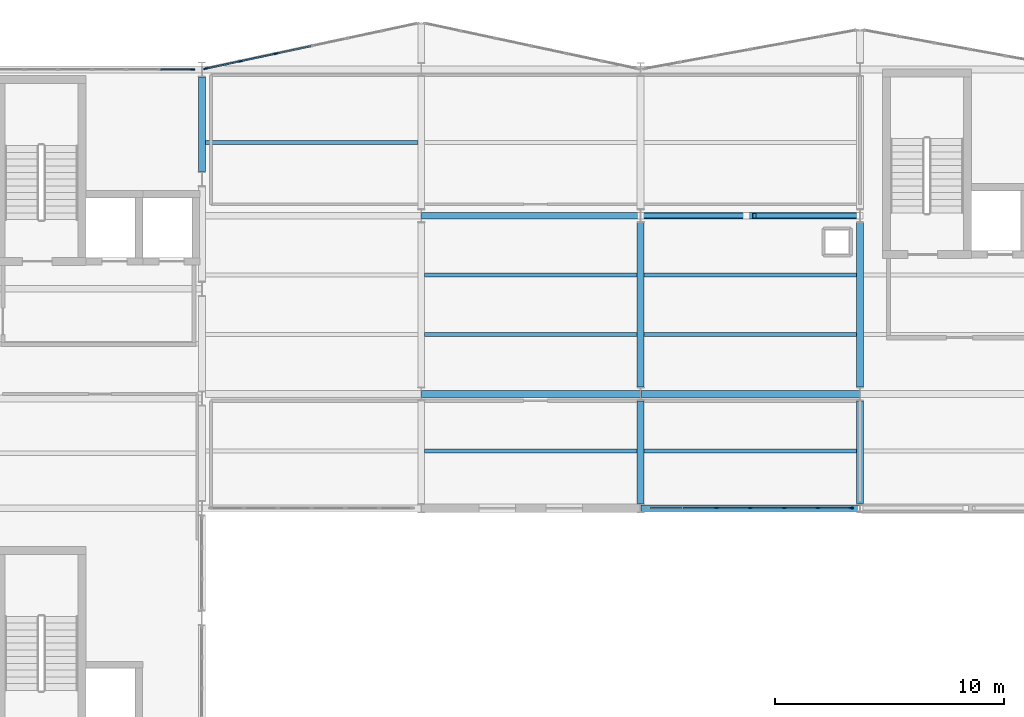
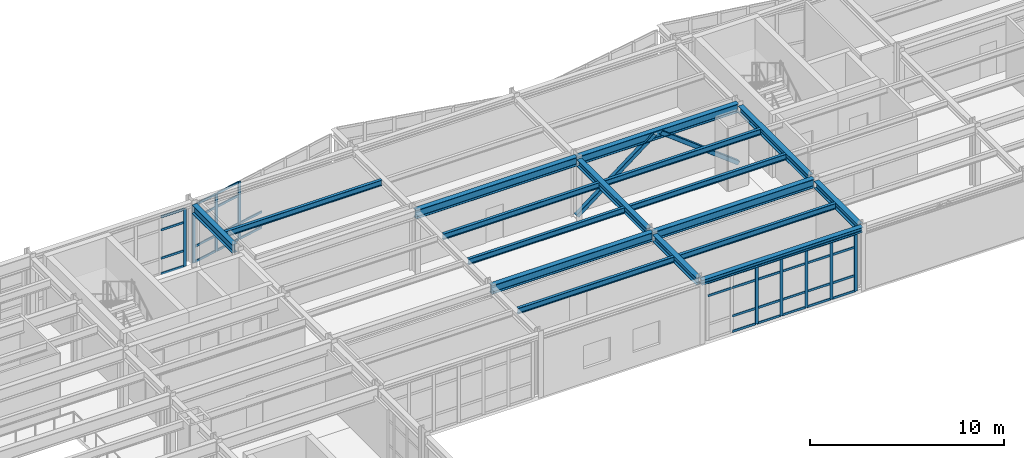
# One storey, part 47 of 99: 47 members, 17 beams, 3 elements without a shape of their own.
"""IFC4 building model written with IfcOpenShell, lengths in metres."""

from ifc_helpers import new_model, si_unit, direction, frame, origin, origin_2d, place, context, subcontext, project, spatial, rectangle, hollow_rectangle, i_section, extrude, material, layer, layer_set, material_profile, profile_set, type_object, element, aggregate, save


model = new_model("IFC4")

# Units and contexts
model_context = context("Model", 3, precision=1e-05, world=origin(), true_north=direction((0.0, 1.0)))
body_context = subcontext(model_context, "Body", "Model", "MODEL_VIEW")
ifc_project = project(units=[si_unit("LENGTHUNIT", "METRE"), si_unit("AREAUNIT", "SQUARE_METRE"), si_unit("VOLUMEUNIT", "CUBIC_METRE"), si_unit("PLANEANGLEUNIT", "RADIAN"), si_unit("MASSUNIT", "GRAM", prefix="KILO")], contexts=[model_context])

# Site, building, storey
site_placement = place(None, origin())
site = spatial("IfcSite", under=ifc_project, at=site_placement, CompositionType="ELEMENT")
building_placement = place(site_placement, origin())
building = spatial("IfcBuilding", under=site, at=building_placement, Name="Nordkorset Police Headquarters", CompositionType="ELEMENT")
storey_placement = place(building_placement, frame((0.0, 0.0, 5.25)))
storey = spatial("IfcBuildingStorey", under=building, at=storey_placement, Name="L01", CompositionType="ELEMENT", Elevation=5.25)

# Beams
ifc_material_1 = material(Name="Steel S355J2", Category="steel")
ifc_material_profile_1 = material_profile(ifc_material_1, i_section(OverallWidth=0.169921875, OverallDepth=0.360107421875, WebThickness=0.008056640625, FlangeThickness=0.0126953125, FilletRadius=0.01806640625, at=origin_2d()), Name="IPE 360")
ifc_profile_set_1 = profile_set([ifc_material_profile_1], Name="Steel S355J2")
beam_type_1 = type_object("IfcBeamType", Name="Beam_IPE_360", PredefinedType="BEAM", material=ifc_profile_set_1)
for number, where, z_axis, x_axis, name in (
    (1, (28.949951171875, 113.60009765625, 3.780029296875), (1.0, 0.0, 0.0), (0.0, 1.0, 0.0), "Composite Floor Beam V2 L01 0-2-1"),
    (2, (38.550048828125, 100.10009765625, 3.780029296875), (1.0, 0.0, 0.0), (0.0, 1.0, 0.0), "Composite Floor Beam V2 L01 1-0-1"),
    (3, (38.550048828125, 105.199951171875, 3.780029296875), (1.0, 0.0, 0.0), (0.0, 1.0, 0.0), "Composite Floor Beam V2 L01 1-1-1"),
    (4, (38.550048828125, 107.800048828125, 3.780029296875), (1.0, 0.0, 0.0), (0.0, 1.0, 0.0), "Composite Floor Beam V2 L01 1-1-2"),
    (5, (48.14990234375, 100.10009765625, 3.780029296875), (1.0, 0.0, 0.0), (0.0, 1.0, 0.0), "Composite Floor Beam V2 L01 2-0-1"),
    (6, (48.14990234375, 105.199951171875, 3.780029296875), (1.0, 0.0, 0.0), (0.0, 1.0, 0.0), "Composite Floor Beam V2 L01 2-1-1"),
    (7, (48.14990234375, 107.800048828125, 3.780029296875), (1.0, 0.0, 0.0), (0.0, 1.0, 0.0), "Composite Floor Beam V2 L01 2-1-2"),
):
    element("IfcBeam", number, at=place(storey_placement, frame(where, z_axis=z_axis, x_axis=x_axis)), inside=storey, type_object=beam_type_1, Name=name, PredefinedType="BEAM", context=body_context, shape_type="SweptSolid", body=[
        extrude(i_section(OverallWidth=0.169921875, OverallDepth=0.360107421875, WebThickness=0.008056640625, FlangeThickness=0.0126953125, FilletRadius=0.01806640625, at=origin_2d()), origin(), (0.0, 0.0, 1.0), 9.300048828125),
    ])

# Members
ifc_material_2 = material(Name="Steel S355J2", Category="steel")
ifc_material_profile_2 = material_profile(ifc_material_2, hollow_rectangle(XDim=0.25, YDim=0.25, WallThickness=0.012451171875, InnerFilletRadius=0.012451171875, OuterFilletRadius=0.02490234375, at=origin_2d()), Name="SHS 250x250x12.5")
ifc_profile_set_2 = profile_set([ifc_material_profile_2], Name="Steel S355J2")
member_type_1 = type_object("IfcMemberType", Name="Brace_SHS_250x250x12.5", PredefinedType="BRACE", material=ifc_profile_set_2)
for number, where, z_axis, x_axis, name in (
    (8, (48.0078125, 110.39990234375, 0.199951171875), (0.793279140182, 0.0, 0.608858116273), (0.0, 1.0, 0.0), "Lateral Chevron Brace BF-V2-A L01 D1"),
    (9, (57.59228515625, 110.39990234375, 0.199951171875), (-0.793279140182, 0.0, 0.608858116273), (0.0, -1.0, 0.0), "Lateral Chevron Brace BF-V2-A L01 D2"),
):
    element("IfcMember", number, at=place(storey_placement, frame(where, z_axis=z_axis, x_axis=x_axis)), inside=storey, type_object=member_type_1, Name=name, PredefinedType="BRACE", context=body_context, shape_type="SweptSolid", body=[
        extrude(hollow_rectangle(XDim=0.25, YDim=0.25, WallThickness=0.012451171875, InnerFilletRadius=0.012451171875, OuterFilletRadius=0.02490234375, at=origin_2d()), origin(), (0.0, 0.0, 1.0), 5.814208984375),
    ])

# Curtain wall, member
ifc_material_3 = material(Name="Aluminium alloy AW-6060", Category="aluminium")
ifc_layer_1 = layer(ifc_material_3, 0.179931640625, Name="Aluminium alloy AW-6060")
ifc_layer_set_1 = layer_set([ifc_layer_1], Name="Aluminium alloy AW-6060")
curtain_wall_type_1 = type_object("IfcCurtainWallType", Name="CW_Unit_888x363", PredefinedType="USERDEFINED", material=ifc_layer_set_1)
curtain_wall_1_placement = place(storey_placement, origin())
curtain_wall_1 = element("IfcCurtainWall", 10, at=curtain_wall_1_placement, inside=storey, type_object=curtain_wall_type_1, Name="Unitised Curtain Wall L01 V1N-2", ObjectType="UNITISED CURTAIN WALL", PredefinedType="USERDEFINED")
ifc_material_4 = material(Name="Aluminium alloy AW-6060", Category="aluminium")
ifc_material_profile_3 = material_profile(ifc_material_4, rectangle(XDim=0.06494140625, YDim=0.179931640625, at=origin_2d()), Name="ALU MULL 65x180")
ifc_profile_set_3 = profile_set([ifc_material_profile_3], Name="Aluminium alloy AW-6060")
member_type_2 = type_object("IfcMemberType", Name="CW_Mullion_65x180", PredefinedType="MULLION", material=ifc_profile_set_3)
member_1_placement = place(storey_placement, frame((28.407470703125, 116.800048828125, 0.0), z_axis=(0.0, 0.0, 1.0), x_axis=(0.0, 1.0, 0.0)))
member_1 = element("IfcMember", 11, at=member_1_placement, type_object=member_type_2, Name="CW-07 mullion 7", PredefinedType="MULLION", context=body_context, shape_type="SweptSolid", body=[
    extrude(rectangle(XDim=0.06494140625, YDim=0.179931640625, at=origin_2d()), origin(), (0.0, 0.0, 1.0), 3.6298828125),
])

# Curtain wall, members
ifc_material_5 = material(Name="Aluminium alloy AW-6060", Category="aluminium")
ifc_layer_2 = layer(ifc_material_5, 0.179931640625, Name="Aluminium alloy AW-6060")
ifc_layer_set_2 = layer_set([ifc_layer_2], Name="Aluminium alloy AW-6060")
curtain_wall_type_2 = type_object("IfcCurtainWallType", Name="CW_Unit_954x363", PredefinedType="USERDEFINED", material=ifc_layer_set_2)
curtain_wall_2_placement = place(storey_placement, origin())
curtain_wall_2 = element("IfcCurtainWall", 12, at=curtain_wall_2_placement, inside=storey, type_object=curtain_wall_type_2, Name="Unitised Curtain Wall L01 V2N-0", ObjectType="UNITISED CURTAIN WALL", PredefinedType="USERDEFINED")
member_2_placement = place(storey_placement, frame((28.96875, 116.8359375, 0.0), z_axis=(0.0, 0.0, 1.0), x_axis=(-0.208832534289, 0.977951416289, 0.0)))
member_2 = element("IfcMember", 13, at=member_2_placement, type_object=member_type_2, Name="CW-106 mullion 1", PredefinedType="MULLION", context=body_context, shape_type="SweptSolid", body=[
    extrude(rectangle(XDim=0.06494140625, YDim=0.179931640625, at=origin_2d()), origin(), (0.0, 0.0, 1.0), 3.6298828125),
])
member_3_placement = place(storey_placement, frame((30.4912109375, 117.1611328125, 0.0), z_axis=(0.0, 0.0, 1.0), x_axis=(-0.208832534289, 0.977951416289, 0.0)))
member_3 = element("IfcMember", 14, at=member_3_placement, type_object=member_type_2, Name="CW-106 mullion 2", PredefinedType="MULLION", context=body_context, shape_type="SweptSolid", body=[
    extrude(rectangle(XDim=0.06494140625, YDim=0.179931640625, at=origin_2d()), origin(), (0.0, 0.0, 1.0), 3.6298828125),
])
member_4_placement = place(storey_placement, frame((32.045654296875, 117.4931640625, 0.0), z_axis=(0.0, 0.0, 1.0), x_axis=(-0.208832534289, 0.977951416289, 0.0)))
member_4 = element("IfcMember", 15, at=member_4_placement, type_object=member_type_2, Name="CW-106 mullion 3", PredefinedType="MULLION", context=body_context, shape_type="SweptSolid", body=[
    extrude(rectangle(XDim=0.06494140625, YDim=0.179931640625, at=origin_2d()), origin(), (0.0, 0.0, 1.0), 3.6298828125),
])

curtain_wall_3_placement = place(storey_placement, origin())
curtain_wall_3 = element("IfcCurtainWall", 16, at=curtain_wall_3_placement, inside=storey, type_object=curtain_wall_type_1, Name="Unitised Curtain Wall L01 V2S-2", ObjectType="UNITISED CURTAIN WALL", PredefinedType="USERDEFINED")
member_5_placement = place(storey_placement, frame((51.320068359375, 97.60009765625, 0.0), z_axis=(0.0, 0.0, 1.0), x_axis=(0.0, 1.0, 0.0)))
member_5 = element("IfcMember", 17, at=member_5_placement, type_object=member_type_2, Name="CW-07 mullion 3", PredefinedType="MULLION", context=body_context, shape_type="SweptSolid", body=[
    extrude(rectangle(XDim=0.06494140625, YDim=0.179931640625, at=origin_2d()), origin(), (0.0, 0.0, 1.0), 3.6298828125),
])
member_6_placement = place(storey_placement, frame((52.800048828125, 97.60009765625, 0.0), z_axis=(0.0, 0.0, 1.0), x_axis=(0.0, 1.0, 0.0)))
member_6 = element("IfcMember", 18, at=member_6_placement, type_object=member_type_2, Name="CW-07 mullion 4", PredefinedType="MULLION", context=body_context, shape_type="SweptSolid", body=[
    extrude(rectangle(XDim=0.06494140625, YDim=0.179931640625, at=origin_2d()), origin(), (0.0, 0.0, 1.0), 3.6298828125),
])
member_7_placement = place(storey_placement, frame((54.280029296875, 97.60009765625, 0.0), z_axis=(0.0, 0.0, 1.0), x_axis=(0.0, 1.0, 0.0)))
member_7 = element("IfcMember", 19, at=member_7_placement, type_object=member_type_2, Name="CW-07 mullion 5", PredefinedType="MULLION", context=body_context, shape_type="SweptSolid", body=[
    extrude(rectangle(XDim=0.06494140625, YDim=0.179931640625, at=origin_2d()), origin(), (0.0, 0.0, 1.0), 3.6298828125),
])
member_8_placement = place(storey_placement, frame((55.760009765625, 97.60009765625, 0.0), z_axis=(0.0, 0.0, 1.0), x_axis=(0.0, 1.0, 0.0)))
member_8 = element("IfcMember", 20, at=member_8_placement, type_object=member_type_2, Name="CW-07 mullion 6", PredefinedType="MULLION", context=body_context, shape_type="SweptSolid", body=[
    extrude(rectangle(XDim=0.06494140625, YDim=0.179931640625, at=origin_2d()), origin(), (0.0, 0.0, 1.0), 3.6298828125),
])
member_9_placement = place(storey_placement, frame((57.20751953125, 97.60009765625, 0.0), z_axis=(0.0, 0.0, 1.0), x_axis=(0.0, 1.0, 0.0)))
member_9 = element("IfcMember", 21, at=member_9_placement, type_object=member_type_2, Name="CW-07 mullion 7", PredefinedType="MULLION", context=body_context, shape_type="SweptSolid", body=[
    extrude(rectangle(XDim=0.06494140625, YDim=0.179931640625, at=origin_2d()), origin(), (0.0, 0.0, 1.0), 3.6298828125),
])

# Member
ifc_material_6 = material(Name="Aluminium alloy AW-6060", Category="aluminium")
ifc_material_profile_4 = material_profile(ifc_material_6, rectangle(XDim=0.06494140625, YDim=0.139892578125, at=origin_2d()), Name="ALU TRAN 65x140")
ifc_profile_set_4 = profile_set([ifc_material_profile_4], Name="Aluminium alloy AW-6060")
member_type_3 = type_object("IfcMemberType", Name="CW_Transom_65x140", PredefinedType="USERDEFINED", material=ifc_profile_set_4)
member_10_placement = place(storey_placement, frame((26.992431640625, 116.800048828125, 0.032470703125), z_axis=(1.0, 0.0, 0.0), x_axis=(0.0, 1.0, 0.0)))
member_10 = element("IfcMember", 22, at=member_10_placement, type_object=member_type_3, Name="CW-07 transom 6.1", ObjectType="TRANSOM", PredefinedType="USERDEFINED", context=body_context, shape_type="SweptSolid", body=[
    extrude(rectangle(XDim=0.06494140625, YDim=0.139892578125, at=origin_2d()), origin(), (0.0, 0.0, 1.0), 1.382568359375),
])

member_11_placement = place(storey_placement, frame((26.992431640625, 116.800048828125, 1.0), z_axis=(1.0, 0.0, 0.0), x_axis=(0.0, 1.0, 0.0)))
member_11 = element("IfcMember", 23, at=member_11_placement, type_object=member_type_3, Name="CW-07 transom 6.2", ObjectType="TRANSOM", PredefinedType="USERDEFINED", context=body_context, shape_type="SweptSolid", body=[
    extrude(rectangle(XDim=0.06494140625, YDim=0.139892578125, at=origin_2d()), origin(), (0.0, 0.0, 1.0), 1.382568359375),
])

member_12_placement = place(storey_placement, frame((26.992431640625, 116.800048828125, 2.780029296875), z_axis=(1.0, 0.0, 0.0), x_axis=(0.0, 1.0, 0.0)))
member_12 = element("IfcMember", 24, at=member_12_placement, type_object=member_type_3, Name="CW-07 transom 6.3", ObjectType="TRANSOM", PredefinedType="USERDEFINED", context=body_context, shape_type="SweptSolid", body=[
    extrude(rectangle(XDim=0.06494140625, YDim=0.139892578125, at=origin_2d()), origin(), (0.0, 0.0, 1.0), 1.382568359375),
])

member_13_placement = place(storey_placement, frame((26.992431640625, 116.800048828125, 3.597412109375), z_axis=(1.0, 0.0, 0.0), x_axis=(0.0, 1.0, 0.0)))
member_13 = element("IfcMember", 25, at=member_13_placement, type_object=member_type_3, Name="CW-07 transom 6.4", ObjectType="TRANSOM", PredefinedType="USERDEFINED", context=body_context, shape_type="SweptSolid", body=[
    extrude(rectangle(XDim=0.06494140625, YDim=0.139892578125, at=origin_2d()), origin(), (0.0, 0.0, 1.0), 1.382568359375),
])

aggregate(curtain_wall_1, [member_1, member_10, member_11, member_12, member_13])

member_14_placement = place(storey_placement, frame((29.00048828125, 116.8427734375, 0.032470703125), z_axis=(0.977955422008, 0.208813774846, 0.0), x_axis=(-0.208813774846, 0.977955422008, 0.0)))
member_14 = element("IfcMember", 26, at=member_14_placement, type_object=member_type_3, Name="CW-106 transom 1.1", ObjectType="TRANSOM", PredefinedType="USERDEFINED", context=body_context, shape_type="SweptSolid", body=[
    extrude(rectangle(XDim=0.06494140625, YDim=0.139892578125, at=origin_2d()), origin(), (0.0, 0.0, 1.0), 1.491943359375),
])

member_15_placement = place(storey_placement, frame((29.00048828125, 116.8427734375, 1.0), z_axis=(0.977955422008, 0.208813774846, 0.0), x_axis=(-0.208813774846, 0.977955422008, 0.0)))
member_15 = element("IfcMember", 27, at=member_15_placement, type_object=member_type_3, Name="CW-106 transom 1.2", ObjectType="TRANSOM", PredefinedType="USERDEFINED", context=body_context, shape_type="SweptSolid", body=[
    extrude(rectangle(XDim=0.06494140625, YDim=0.139892578125, at=origin_2d()), origin(), (0.0, 0.0, 1.0), 1.491943359375),
])

member_16_placement = place(storey_placement, frame((29.00048828125, 116.8427734375, 2.780029296875), z_axis=(0.977955422008, 0.208813774846, 0.0), x_axis=(-0.208813774846, 0.977955422008, 0.0)))
member_16 = element("IfcMember", 28, at=member_16_placement, type_object=member_type_3, Name="CW-106 transom 1.3", ObjectType="TRANSOM", PredefinedType="USERDEFINED", context=body_context, shape_type="SweptSolid", body=[
    extrude(rectangle(XDim=0.06494140625, YDim=0.139892578125, at=origin_2d()), origin(), (0.0, 0.0, 1.0), 1.491943359375),
])

member_17_placement = place(storey_placement, frame((29.00048828125, 116.8427734375, 3.597412109375), z_axis=(0.977955422008, 0.208813774846, 0.0), x_axis=(-0.208813774846, 0.977955422008, 0.0)))
member_17 = element("IfcMember", 29, at=member_17_placement, type_object=member_type_3, Name="CW-106 transom 1.4", ObjectType="TRANSOM", PredefinedType="USERDEFINED", context=body_context, shape_type="SweptSolid", body=[
    extrude(rectangle(XDim=0.06494140625, YDim=0.139892578125, at=origin_2d()), origin(), (0.0, 0.0, 1.0), 1.491943359375),
])

member_18_placement = place(storey_placement, frame((30.52294921875, 117.16796875, 0.032470703125), z_axis=(0.977954480787, 0.208818182896, 0.0), x_axis=(-0.208818182896, 0.977954480787, 0.0)))
member_18 = element("IfcMember", 30, at=member_18_placement, type_object=member_type_3, Name="CW-106 transom 2.1", ObjectType="TRANSOM", PredefinedType="USERDEFINED", context=body_context, shape_type="SweptSolid", body=[
    extrude(rectangle(XDim=0.06494140625, YDim=0.139892578125, at=origin_2d()), origin(), (0.0, 0.0, 1.0), 1.524658203125),
])

member_19_placement = place(storey_placement, frame((30.52294921875, 117.16796875, 1.0), z_axis=(0.977954480787, 0.208818182896, 0.0), x_axis=(-0.208818182896, 0.977954480787, 0.0)))
member_19 = element("IfcMember", 31, at=member_19_placement, type_object=member_type_3, Name="CW-106 transom 2.2", ObjectType="TRANSOM", PredefinedType="USERDEFINED", context=body_context, shape_type="SweptSolid", body=[
    extrude(rectangle(XDim=0.06494140625, YDim=0.139892578125, at=origin_2d()), origin(), (0.0, 0.0, 1.0), 1.524658203125),
])

member_20_placement = place(storey_placement, frame((30.52294921875, 117.16796875, 2.780029296875), z_axis=(0.977954480787, 0.208818182896, 0.0), x_axis=(-0.208818182896, 0.977954480787, 0.0)))
member_20 = element("IfcMember", 32, at=member_20_placement, type_object=member_type_3, Name="CW-106 transom 2.3", ObjectType="TRANSOM", PredefinedType="USERDEFINED", context=body_context, shape_type="SweptSolid", body=[
    extrude(rectangle(XDim=0.06494140625, YDim=0.139892578125, at=origin_2d()), origin(), (0.0, 0.0, 1.0), 1.524658203125),
])

member_21_placement = place(storey_placement, frame((30.52294921875, 117.16796875, 3.597412109375), z_axis=(0.977954480787, 0.208818182896, 0.0), x_axis=(-0.208818182896, 0.977954480787, 0.0)))
member_21 = element("IfcMember", 33, at=member_21_placement, type_object=member_type_3, Name="CW-106 transom 2.4", ObjectType="TRANSOM", PredefinedType="USERDEFINED", context=body_context, shape_type="SweptSolid", body=[
    extrude(rectangle(XDim=0.06494140625, YDim=0.139892578125, at=origin_2d()), origin(), (0.0, 0.0, 1.0), 1.524658203125),
])

member_22_placement = place(storey_placement, frame((32.077392578125, 117.499755859375, 0.032470703125), z_axis=(0.977947496383, 0.208850890154, 0.0), x_axis=(-0.208850890154, 0.977947496383, 0.0)))
member_22 = element("IfcMember", 34, at=member_22_placement, type_object=member_type_3, Name="CW-106 transom 3.1", ObjectType="TRANSOM", PredefinedType="USERDEFINED", context=body_context, shape_type="SweptSolid", body=[
    extrude(rectangle(XDim=0.06494140625, YDim=0.139892578125, at=origin_2d()), origin(), (0.0, 0.0, 1.0), 1.5244140625),
])

member_23_placement = place(storey_placement, frame((32.077392578125, 117.499755859375, 1.0), z_axis=(0.977947496383, 0.208850890154, 0.0), x_axis=(-0.208850890154, 0.977947496383, 0.0)))
member_23 = element("IfcMember", 35, at=member_23_placement, type_object=member_type_3, Name="CW-106 transom 3.2", ObjectType="TRANSOM", PredefinedType="USERDEFINED", context=body_context, shape_type="SweptSolid", body=[
    extrude(rectangle(XDim=0.06494140625, YDim=0.139892578125, at=origin_2d()), origin(), (0.0, 0.0, 1.0), 1.5244140625),
])

aggregate(curtain_wall_2, [member_2, member_3, member_4, member_14, member_15, member_16, member_17, member_18, member_19, member_20, member_21, member_22, member_23])

member_24_placement = place(storey_placement, frame((48.425048828125, 97.60009765625, 2.780029296875), z_axis=(1.0, 0.0, 0.0), x_axis=(0.0, 1.0, 0.0)))
member_24 = element("IfcMember", 36, at=member_24_placement, type_object=member_type_3, Name="CW-07 transom 1.3", ObjectType="TRANSOM", PredefinedType="USERDEFINED", context=body_context, shape_type="SweptSolid", body=[
    extrude(rectangle(XDim=0.06494140625, YDim=0.139892578125, at=origin_2d()), origin(), (0.0, 0.0, 1.0), 1.382568359375),
])

member_25_placement = place(storey_placement, frame((48.425048828125, 97.60009765625, 3.597412109375), z_axis=(1.0, 0.0, 0.0), x_axis=(0.0, 1.0, 0.0)))
member_25 = element("IfcMember", 37, at=member_25_placement, type_object=member_type_3, Name="CW-07 transom 1.4", ObjectType="TRANSOM", PredefinedType="USERDEFINED", context=body_context, shape_type="SweptSolid", body=[
    extrude(rectangle(XDim=0.06494140625, YDim=0.139892578125, at=origin_2d()), origin(), (0.0, 0.0, 1.0), 1.382568359375),
])

member_26_placement = place(storey_placement, frame((49.87255859375, 97.60009765625, 0.032470703125), z_axis=(1.0, 0.0, 0.0), x_axis=(0.0, 1.0, 0.0)))
member_26 = element("IfcMember", 38, at=member_26_placement, type_object=member_type_3, Name="CW-07 transom 2.1", ObjectType="TRANSOM", PredefinedType="USERDEFINED", context=body_context, shape_type="SweptSolid", body=[
    extrude(rectangle(XDim=0.06494140625, YDim=0.139892578125, at=origin_2d()), origin(), (0.0, 0.0, 1.0), 1.4150390625),
])

member_27_placement = place(storey_placement, frame((49.87255859375, 97.60009765625, 1.0), z_axis=(1.0, 0.0, 0.0), x_axis=(0.0, 1.0, 0.0)))
member_27 = element("IfcMember", 39, at=member_27_placement, type_object=member_type_3, Name="CW-07 transom 2.2", ObjectType="TRANSOM", PredefinedType="USERDEFINED", context=body_context, shape_type="SweptSolid", body=[
    extrude(rectangle(XDim=0.06494140625, YDim=0.139892578125, at=origin_2d()), origin(), (0.0, 0.0, 1.0), 1.4150390625),
])

member_28_placement = place(storey_placement, frame((49.87255859375, 97.60009765625, 2.780029296875), z_axis=(1.0, 0.0, 0.0), x_axis=(0.0, 1.0, 0.0)))
member_28 = element("IfcMember", 40, at=member_28_placement, type_object=member_type_3, Name="CW-07 transom 2.3", ObjectType="TRANSOM", PredefinedType="USERDEFINED", context=body_context, shape_type="SweptSolid", body=[
    extrude(rectangle(XDim=0.06494140625, YDim=0.139892578125, at=origin_2d()), origin(), (0.0, 0.0, 1.0), 1.4150390625),
])

member_29_placement = place(storey_placement, frame((49.87255859375, 97.60009765625, 3.597412109375), z_axis=(1.0, 0.0, 0.0), x_axis=(0.0, 1.0, 0.0)))
member_29 = element("IfcMember", 41, at=member_29_placement, type_object=member_type_3, Name="CW-07 transom 2.4", ObjectType="TRANSOM", PredefinedType="USERDEFINED", context=body_context, shape_type="SweptSolid", body=[
    extrude(rectangle(XDim=0.06494140625, YDim=0.139892578125, at=origin_2d()), origin(), (0.0, 0.0, 1.0), 1.4150390625),
])

member_30_placement = place(storey_placement, frame((51.3525390625, 97.60009765625, 0.032470703125), z_axis=(1.0, 0.0, 0.0), x_axis=(0.0, 1.0, 0.0)))
member_30 = element("IfcMember", 42, at=member_30_placement, type_object=member_type_3, Name="CW-07 transom 3.1", ObjectType="TRANSOM", PredefinedType="USERDEFINED", context=body_context, shape_type="SweptSolid", body=[
    extrude(rectangle(XDim=0.06494140625, YDim=0.139892578125, at=origin_2d()), origin(), (0.0, 0.0, 1.0), 1.4150390625),
])

member_31_placement = place(storey_placement, frame((51.3525390625, 97.60009765625, 1.0), z_axis=(1.0, 0.0, 0.0), x_axis=(0.0, 1.0, 0.0)))
member_31 = element("IfcMember", 43, at=member_31_placement, type_object=member_type_3, Name="CW-07 transom 3.2", ObjectType="TRANSOM", PredefinedType="USERDEFINED", context=body_context, shape_type="SweptSolid", body=[
    extrude(rectangle(XDim=0.06494140625, YDim=0.139892578125, at=origin_2d()), origin(), (0.0, 0.0, 1.0), 1.4150390625),
])

member_32_placement = place(storey_placement, frame((51.3525390625, 97.60009765625, 2.780029296875), z_axis=(1.0, 0.0, 0.0), x_axis=(0.0, 1.0, 0.0)))
member_32 = element("IfcMember", 44, at=member_32_placement, type_object=member_type_3, Name="CW-07 transom 3.3", ObjectType="TRANSOM", PredefinedType="USERDEFINED", context=body_context, shape_type="SweptSolid", body=[
    extrude(rectangle(XDim=0.06494140625, YDim=0.139892578125, at=origin_2d()), origin(), (0.0, 0.0, 1.0), 1.4150390625),
])

member_33_placement = place(storey_placement, frame((51.3525390625, 97.60009765625, 3.597412109375), z_axis=(1.0, 0.0, 0.0), x_axis=(0.0, 1.0, 0.0)))
member_33 = element("IfcMember", 45, at=member_33_placement, type_object=member_type_3, Name="CW-07 transom 3.4", ObjectType="TRANSOM", PredefinedType="USERDEFINED", context=body_context, shape_type="SweptSolid", body=[
    extrude(rectangle(XDim=0.06494140625, YDim=0.139892578125, at=origin_2d()), origin(), (0.0, 0.0, 1.0), 1.4150390625),
])

member_34_placement = place(storey_placement, frame((52.83251953125, 97.60009765625, 0.032470703125), z_axis=(1.0, 0.0, 0.0), x_axis=(0.0, 1.0, 0.0)))
member_34 = element("IfcMember", 46, at=member_34_placement, type_object=member_type_3, Name="CW-07 transom 4.1", ObjectType="TRANSOM", PredefinedType="USERDEFINED", context=body_context, shape_type="SweptSolid", body=[
    extrude(rectangle(XDim=0.06494140625, YDim=0.139892578125, at=origin_2d()), origin(), (0.0, 0.0, 1.0), 1.4150390625),
])

member_35_placement = place(storey_placement, frame((52.83251953125, 97.60009765625, 1.0), z_axis=(1.0, 0.0, 0.0), x_axis=(0.0, 1.0, 0.0)))
member_35 = element("IfcMember", 47, at=member_35_placement, type_object=member_type_3, Name="CW-07 transom 4.2", ObjectType="TRANSOM", PredefinedType="USERDEFINED", context=body_context, shape_type="SweptSolid", body=[
    extrude(rectangle(XDim=0.06494140625, YDim=0.139892578125, at=origin_2d()), origin(), (0.0, 0.0, 1.0), 1.4150390625),
])

member_36_placement = place(storey_placement, frame((52.83251953125, 97.60009765625, 2.780029296875), z_axis=(1.0, 0.0, 0.0), x_axis=(0.0, 1.0, 0.0)))
member_36 = element("IfcMember", 48, at=member_36_placement, type_object=member_type_3, Name="CW-07 transom 4.3", ObjectType="TRANSOM", PredefinedType="USERDEFINED", context=body_context, shape_type="SweptSolid", body=[
    extrude(rectangle(XDim=0.06494140625, YDim=0.139892578125, at=origin_2d()), origin(), (0.0, 0.0, 1.0), 1.4150390625),
])

member_37_placement = place(storey_placement, frame((52.83251953125, 97.60009765625, 3.597412109375), z_axis=(1.0, 0.0, 0.0), x_axis=(0.0, 1.0, 0.0)))
member_37 = element("IfcMember", 49, at=member_37_placement, type_object=member_type_3, Name="CW-07 transom 4.4", ObjectType="TRANSOM", PredefinedType="USERDEFINED", context=body_context, shape_type="SweptSolid", body=[
    extrude(rectangle(XDim=0.06494140625, YDim=0.139892578125, at=origin_2d()), origin(), (0.0, 0.0, 1.0), 1.4150390625),
])

member_38_placement = place(storey_placement, frame((54.3125, 97.60009765625, 0.032470703125), z_axis=(1.0, 0.0, 0.0), x_axis=(0.0, 1.0, 0.0)))
member_38 = element("IfcMember", 50, at=member_38_placement, type_object=member_type_3, Name="CW-07 transom 5.1", ObjectType="TRANSOM", PredefinedType="USERDEFINED", context=body_context, shape_type="SweptSolid", body=[
    extrude(rectangle(XDim=0.06494140625, YDim=0.139892578125, at=origin_2d()), origin(), (0.0, 0.0, 1.0), 1.4150390625),
])

member_39_placement = place(storey_placement, frame((54.3125, 97.60009765625, 1.0), z_axis=(1.0, 0.0, 0.0), x_axis=(0.0, 1.0, 0.0)))
member_39 = element("IfcMember", 51, at=member_39_placement, type_object=member_type_3, Name="CW-07 transom 5.2", ObjectType="TRANSOM", PredefinedType="USERDEFINED", context=body_context, shape_type="SweptSolid", body=[
    extrude(rectangle(XDim=0.06494140625, YDim=0.139892578125, at=origin_2d()), origin(), (0.0, 0.0, 1.0), 1.4150390625),
])

member_40_placement = place(storey_placement, frame((54.3125, 97.60009765625, 2.780029296875), z_axis=(1.0, 0.0, 0.0), x_axis=(0.0, 1.0, 0.0)))
member_40 = element("IfcMember", 52, at=member_40_placement, type_object=member_type_3, Name="CW-07 transom 5.3", ObjectType="TRANSOM", PredefinedType="USERDEFINED", context=body_context, shape_type="SweptSolid", body=[
    extrude(rectangle(XDim=0.06494140625, YDim=0.139892578125, at=origin_2d()), origin(), (0.0, 0.0, 1.0), 1.4150390625),
])

member_41_placement = place(storey_placement, frame((54.3125, 97.60009765625, 3.597412109375), z_axis=(1.0, 0.0, 0.0), x_axis=(0.0, 1.0, 0.0)))
member_41 = element("IfcMember", 53, at=member_41_placement, type_object=member_type_3, Name="CW-07 transom 5.4", ObjectType="TRANSOM", PredefinedType="USERDEFINED", context=body_context, shape_type="SweptSolid", body=[
    extrude(rectangle(XDim=0.06494140625, YDim=0.139892578125, at=origin_2d()), origin(), (0.0, 0.0, 1.0), 1.4150390625),
])

member_42_placement = place(storey_placement, frame((55.79248046875, 97.60009765625, 0.032470703125), z_axis=(1.0, 0.0, 0.0), x_axis=(0.0, 1.0, 0.0)))
member_42 = element("IfcMember", 54, at=member_42_placement, type_object=member_type_3, Name="CW-07 transom 6.1", ObjectType="TRANSOM", PredefinedType="USERDEFINED", context=body_context, shape_type="SweptSolid", body=[
    extrude(rectangle(XDim=0.06494140625, YDim=0.139892578125, at=origin_2d()), origin(), (0.0, 0.0, 1.0), 1.382568359375),
])

member_43_placement = place(storey_placement, frame((55.79248046875, 97.60009765625, 1.0), z_axis=(1.0, 0.0, 0.0), x_axis=(0.0, 1.0, 0.0)))
member_43 = element("IfcMember", 55, at=member_43_placement, type_object=member_type_3, Name="CW-07 transom 6.2", ObjectType="TRANSOM", PredefinedType="USERDEFINED", context=body_context, shape_type="SweptSolid", body=[
    extrude(rectangle(XDim=0.06494140625, YDim=0.139892578125, at=origin_2d()), origin(), (0.0, 0.0, 1.0), 1.382568359375),
])

member_44_placement = place(storey_placement, frame((55.79248046875, 97.60009765625, 2.780029296875), z_axis=(1.0, 0.0, 0.0), x_axis=(0.0, 1.0, 0.0)))
member_44 = element("IfcMember", 56, at=member_44_placement, type_object=member_type_3, Name="CW-07 transom 6.3", ObjectType="TRANSOM", PredefinedType="USERDEFINED", context=body_context, shape_type="SweptSolid", body=[
    extrude(rectangle(XDim=0.06494140625, YDim=0.139892578125, at=origin_2d()), origin(), (0.0, 0.0, 1.0), 1.382568359375),
])

member_45_placement = place(storey_placement, frame((55.79248046875, 97.60009765625, 3.597412109375), z_axis=(1.0, 0.0, 0.0), x_axis=(0.0, 1.0, 0.0)))
member_45 = element("IfcMember", 57, at=member_45_placement, type_object=member_type_3, Name="CW-07 transom 6.4", ObjectType="TRANSOM", PredefinedType="USERDEFINED", context=body_context, shape_type="SweptSolid", body=[
    extrude(rectangle(XDim=0.06494140625, YDim=0.139892578125, at=origin_2d()), origin(), (0.0, 0.0, 1.0), 1.382568359375),
])

aggregate(curtain_wall_3, [member_5, member_6, member_7, member_8, member_9, member_24, member_25, member_26, member_27, member_28, member_29, member_30, member_31, member_32, member_33, member_34, member_35, member_36, member_37, member_38, member_39, member_40, member_41, member_42, member_43, member_44, member_45])

# Beams
ifc_material_7 = material(Name="Steel S355J2", Category="steel")
ifc_material_profile_5 = material_profile(ifc_material_7, i_section(OverallWidth=0.300048828125, OverallDepth=0.43994140625, WebThickness=0.011474609375, FlangeThickness=0.02099609375, FilletRadius=0.027099609375, at=origin_2d()), Name="HEA 450")
ifc_profile_set_5 = profile_set([ifc_material_profile_5], Name="Steel S355J2")
beam_type_2 = type_object("IfcBeamType", Name="Girder_HEA_450", PredefinedType="USERDEFINED", material=ifc_profile_set_5)
beam_1_placement = place(storey_placement, frame((48.0, 97.800048828125, 3.739990234375), z_axis=(0.0, 1.0, 0.0), x_axis=(-1.0, 0.0, 0.0)))
element("IfcBeam", 58, at=beam_1_placement, inside=storey, type_object=beam_type_2, Name="Girder V2 L01 GY-2-0", ObjectType="GIRDER", PredefinedType="USERDEFINED", context=body_context, shape_type="SweptSolid", body=[
    extrude(i_section(OverallWidth=0.300048828125, OverallDepth=0.43994140625, WebThickness=0.011474609375, FlangeThickness=0.02099609375, FilletRadius=0.027099609375, at=origin_2d()), origin(), (0.0, 0.0, 1.0), 4.5),
])
beam_2_placement = place(storey_placement, frame((48.0, 102.89990234375, 3.739990234375), z_axis=(0.0, 1.0, 0.0), x_axis=(-1.0, 0.0, 0.0)))
element("IfcBeam", 59, at=beam_2_placement, inside=storey, type_object=beam_type_2, Name="Girder V2 L01 GY-2-1", ObjectType="GIRDER", PredefinedType="USERDEFINED", context=body_context, shape_type="SweptSolid", body=[
    extrude(i_section(OverallWidth=0.300048828125, OverallDepth=0.43994140625, WebThickness=0.011474609375, FlangeThickness=0.02099609375, FilletRadius=0.027099609375, at=origin_2d()), origin(), (0.0, 0.0, 1.0), 7.2001953125),
])
beam_3_placement = place(storey_placement, frame((57.60009765625, 97.800048828125, 3.739990234375), z_axis=(0.0, 1.0, 0.0), x_axis=(-1.0, 0.0, 0.0)))
element("IfcBeam", 60, at=beam_3_placement, inside=storey, type_object=beam_type_2, Name="Girder V2 L01 GY-3-0", ObjectType="GIRDER", PredefinedType="USERDEFINED", context=body_context, shape_type="SweptSolid", body=[
    extrude(i_section(OverallWidth=0.300048828125, OverallDepth=0.43994140625, WebThickness=0.011474609375, FlangeThickness=0.02099609375, FilletRadius=0.027099609375, at=origin_2d()), origin(), (0.0, 0.0, 1.0), 4.5),
])
beam_4_placement = place(storey_placement, frame((57.60009765625, 102.89990234375, 3.739990234375), z_axis=(0.0, 1.0, 0.0), x_axis=(-1.0, 0.0, 0.0)))
element("IfcBeam", 61, at=beam_4_placement, inside=storey, type_object=beam_type_2, Name="Girder V2 L01 GY-3-1", ObjectType="GIRDER", PredefinedType="USERDEFINED", context=body_context, shape_type="SweptSolid", body=[
    extrude(i_section(OverallWidth=0.300048828125, OverallDepth=0.43994140625, WebThickness=0.011474609375, FlangeThickness=0.02099609375, FilletRadius=0.027099609375, at=origin_2d()), origin(), (0.0, 0.0, 1.0), 7.2001953125),
])
ifc_material_8 = material(Name="Steel S355J2", Category="steel")
ifc_material_profile_6 = material_profile(ifc_material_8, i_section(OverallWidth=0.300048828125, OverallDepth=0.5400390625, WebThickness=0.012451171875, FlangeThickness=0.02392578125, FilletRadius=0.027099609375, at=origin_2d()), Name="HEA 550")
ifc_profile_set_6 = profile_set([ifc_material_profile_6], Name="Steel S355J2")
beam_type_3 = type_object("IfcBeamType", Name="Girder_HEA_550", PredefinedType="USERDEFINED", material=ifc_profile_set_6)
beam_5_placement = place(storey_placement, frame((28.800048828125, 112.324951171875, 3.68994140625), z_axis=(0.0, 1.0, 0.0), x_axis=(-1.0, 0.0, 0.0)))
element("IfcBeam", 62, at=beam_5_placement, inside=storey, type_object=beam_type_3, Name="Girder V1 L01 GY-2-6", ObjectType="GIRDER", PredefinedType="USERDEFINED", context=body_context, shape_type="SweptSolid", body=[
    extrude(i_section(OverallWidth=0.300048828125, OverallDepth=0.5400390625, WebThickness=0.012451171875, FlangeThickness=0.02392578125, FilletRadius=0.027099609375, at=origin_2d()), origin(), (0.0, 0.0, 1.0), 4.150146484375),
])
for number, where, z_axis, x_axis, name in (
    (63, (38.40771484375, 102.60009765625, 3.68994140625), (1.0, 0.0, 0.0), (0.0, 1.0, 0.0), "Girder V2 L01 GX-1-1"),
    (64, (48.0078125, 102.60009765625, 3.68994140625), (1.0, 0.0, 0.0), (0.0, 1.0, 0.0), "Girder V2 L01 GX-1-2"),
    (65, (38.40771484375, 110.39990234375, 3.68994140625), (1.0, 0.0, 0.0), (0.0, 1.0, 0.0), "Girder V2 L01 GX-2-1"),
    (66, (48.0078125, 110.39990234375, 3.68994140625), (1.0, 0.0, 0.0), (0.0, 1.0, 0.0), "Girder V2 L01 GX-2-2"),
):
    element("IfcBeam", number, at=place(storey_placement, frame(where, z_axis=z_axis, x_axis=x_axis)), inside=storey, type_object=beam_type_3, Name=name, ObjectType="GIRDER", PredefinedType="USERDEFINED", context=body_context, shape_type="SweptSolid", body=[
        extrude(i_section(OverallWidth=0.300048828125, OverallDepth=0.5400390625, WebThickness=0.012451171875, FlangeThickness=0.02392578125, FilletRadius=0.027099609375, at=origin_2d()), origin(), (0.0, 0.0, 1.0), 9.58447265625),
    ])
ifc_material_9 = material(Name="Steel S355J2", Category="steel")
ifc_material_profile_7 = material_profile(ifc_material_9, i_section(OverallWidth=0.300048828125, OverallDepth=0.31005859375, WebThickness=0.009033203125, FlangeThickness=0.015380859375, FilletRadius=0.027099609375, at=origin_2d()), Name="HEA 320")
ifc_profile_set_7 = profile_set([ifc_material_profile_7], Name="Steel S355J2")
beam_type_4 = type_object("IfcBeamType", Name="Spandrel_HEA_320", PredefinedType="SPANDREL", material=ifc_profile_set_7)
beam_6_placement = place(storey_placement, frame((48.006591796875, 97.60009765625, 3.804931640625), z_axis=(1.0, 0.0, 0.0), x_axis=(0.0, 1.0, 0.0)))
element("IfcBeam", 67, at=beam_6_placement, inside=storey, type_object=beam_type_4, Name="Girder V2 L01 GX-0-2", PredefinedType="SPANDREL", context=body_context, shape_type="SweptSolid", body=[
    extrude(i_section(OverallWidth=0.300048828125, OverallDepth=0.31005859375, WebThickness=0.009033203125, FlangeThickness=0.015380859375, FilletRadius=0.027099609375, at=origin_2d()), origin(), (0.0, 0.0, 1.0), 9.586669921875),
])

save(model, "model.ifc")
